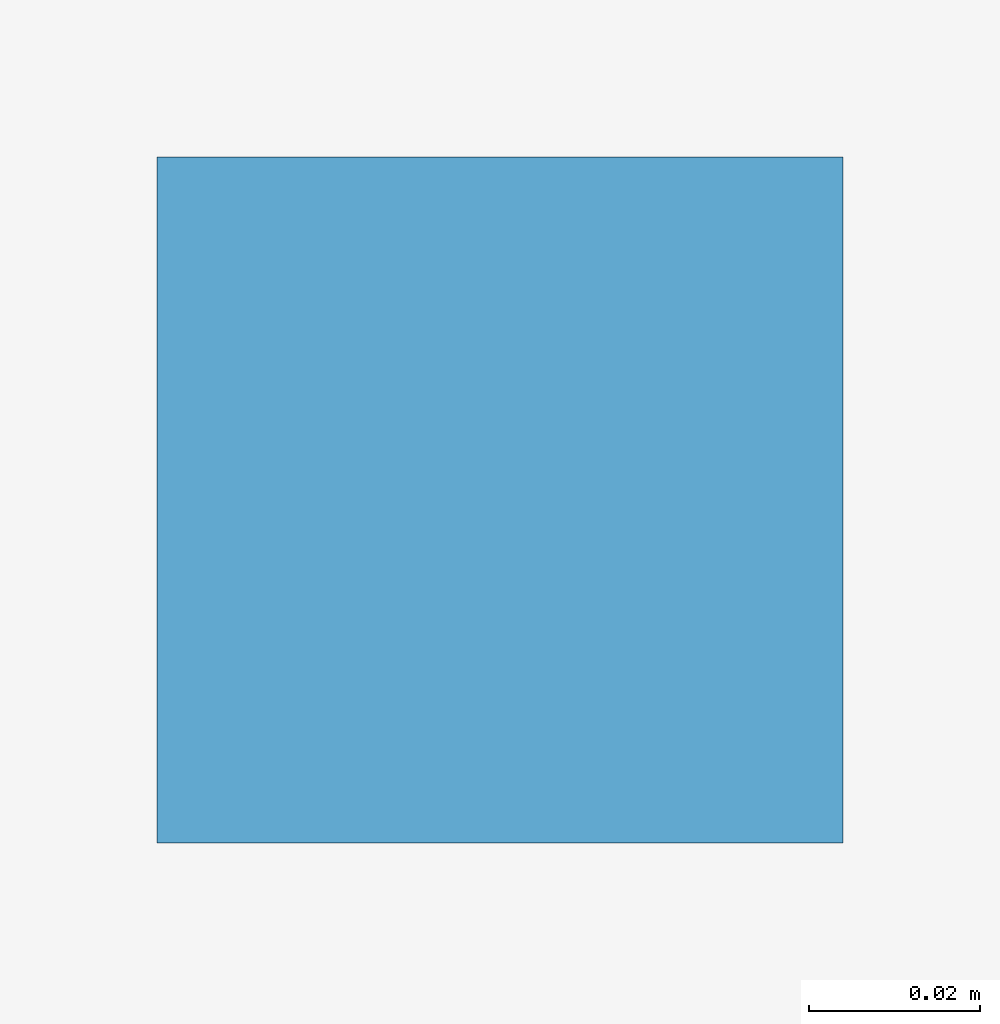
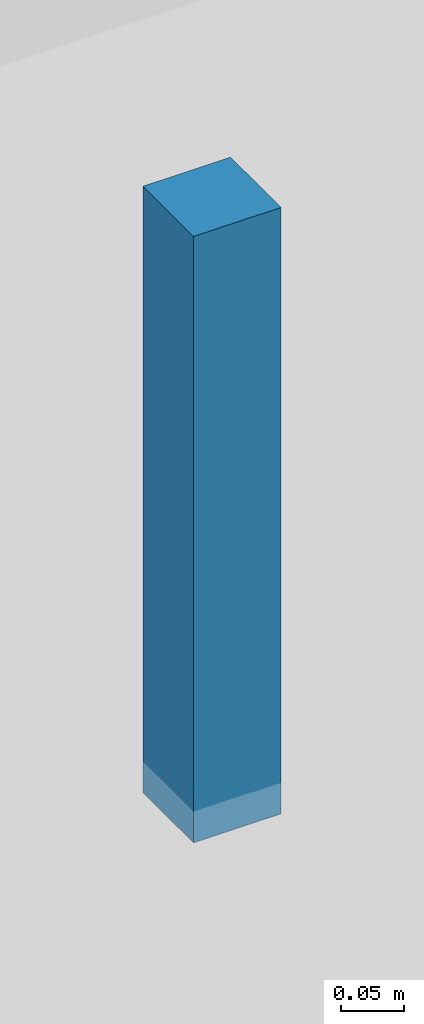
# One storey, part 12 of 17: 1 discrete accessory.
"""IFC4 building model written with IfcOpenShell, lengths in metres."""

import ifcopenshell
import ifcopenshell.guid

model = None  # the IFC model being written
_history = None  # IfcOwnerHistory: only IFC2X3 demands one
_inside = {}  # id of a spatial element -> (the spatial element, [elements in it])
_under = {}  # id of a project, library or spatial element -> (it, [spatial elements below it])
_declared = {}  # id of a project -> (the project, [libraries it declares])
_typed = {}  # id of a type object -> (the type object, [elements of that type])
_made_of = {}  # id of a material, layer set ... -> (it, [elements and type objects made of it])


def new_model(schema):
    """Start an empty IFC model of exactly this schema.

    Asked for "IFC4X3", IfcOpenShell would pick the latest addendum, in which some entities
    have other attributes; the version numbers below select the first issue.
    IFC2X3 requires an IfcOwnerHistory on every rooted entity: one is made here for all.
    """
    global model, _history
    if schema == "IFC4X3":
        model = ifcopenshell.file(schema_version=(4, 3, 0, 0))
    else:
        model = ifcopenshell.file(schema=schema)
    _inside.clear()
    _under.clear()
    _declared.clear()
    _typed.clear()
    _made_of.clear()
    _history = None
    if model.schema == "IFC2X3":
        org = make("IfcOrganization", Name="unknown")
        user = make(
            "IfcPersonAndOrganization",
            ThePerson=make("IfcPerson", FamilyName="unknown"),
            TheOrganization=org,
        )
        app = make(
            "IfcApplication",
            ApplicationDeveloper=org,
            Version="unknown",
            ApplicationFullName="unknown",
            ApplicationIdentifier="unknown",
        )
        _history = make(
            "IfcOwnerHistory",
            OwningUser=user,
            OwningApplication=app,
            ChangeAction="ADDED",
            CreationDate=0,
        )
    return model


def make(cls, **values):
    """One entity of the class cls with the attributes given. An attribute that is None is left unset."""
    return model.create_entity(
        cls, **{name: value for name, value in values.items() if value is not None}
    )


def rooted(cls, **values):
    """An entity with a GlobalId (a new one), such as an element, a storey or a relation."""
    return make(cls, GlobalId=ifcopenshell.guid.new(), OwnerHistory=_history, **values)


def si_unit(unit_type, name, prefix=None):
    """IfcSIUnit, for example si_unit("LENGTHUNIT", "METRE", prefix="MILLI")."""
    return make("IfcSIUnit", UnitType=unit_type, Prefix=prefix, Name=name)


def assignment(units):
    """IfcUnitAssignment: the units of a project."""
    return None if units is None else make("IfcUnitAssignment", Units=units)


def point(xyz):
    """IfcCartesianPoint."""
    return None if xyz is None else make("IfcCartesianPoint", Coordinates=xyz)


def direction(xyz):
    """IfcDirection."""
    return None if xyz is None else make("IfcDirection", DirectionRatios=xyz)


def frame(location, z_axis=None, x_axis=None):
    """IfcAxis2Placement3D, a coordinate frame: its origin and axes. An axis left out is left unset."""
    return make(
        "IfcAxis2Placement3D",
        Location=point(location),
        Axis=direction(z_axis),
        RefDirection=direction(x_axis),
    )


def frame_2d(location, x_axis=None):
    """IfcAxis2Placement2D, a coordinate frame in the plane: its origin and x axis."""
    return make(
        "IfcAxis2Placement2D", Location=point(location), RefDirection=direction(x_axis)
    )


def origin():
    """The frame at (0, 0, 0) with its axes left unset."""
    return frame((0.0, 0.0, 0.0))


def origin_2d():
    """The frame at (0, 0) in the plane with its x axis left unset."""
    return frame_2d((0.0, 0.0))


def place(relative_to, where):
    """IfcLocalPlacement: puts the frame where relative to a parent placement (None: the world)."""
    return make(
        "IfcLocalPlacement", PlacementRelTo=relative_to, RelativePlacement=where
    )


def context(
    kind, dimensions, precision=None, world=None, true_north=None, identifier=None
):
    """IfcGeometricRepresentationContext, for example the 3D "Model" context."""
    return make(
        "IfcGeometricRepresentationContext",
        ContextIdentifier=identifier,
        ContextType=kind,
        CoordinateSpaceDimension=dimensions,
        Precision=precision,
        WorldCoordinateSystem=world,
        TrueNorth=true_north,
    )


def subcontext(parent, identifier, kind, view, scale=None):
    """IfcGeometricRepresentationSubContext, for example "Body" below "Model"."""
    return make(
        "IfcGeometricRepresentationSubContext",
        ContextIdentifier=identifier,
        ContextType=kind,
        ParentContext=parent,
        TargetScale=scale,
        TargetView=view,
    )


def project(units=None, contexts=None):
    """IfcProject with its units and contexts."""
    return rooted(
        "IfcProject",
        Name="project",
        RepresentationContexts=contexts,
        UnitsInContext=assignment(units),
    )


def spatial(cls, under=None, at=None, **own):
    """A site, building, storey or space (cls), placed at a placement, below another one or the project."""
    s = rooted(cls, ObjectPlacement=at, **own)
    if under is not None:
        _under.setdefault(under.id(), (under, []))[1].append(s)
    return s


def profile(cls, at=None, kind="AREA", **sizes):
    """A parametric profile (cls). Its sizes go by their IFC names, for example OverallWidth=200.0."""
    return make(cls, ProfileType=kind, Position=at, **sizes)


def rectangle(**sizes):
    """IfcRectangleProfileDef."""
    return profile("IfcRectangleProfileDef", **sizes)


def extrude(swept, where, along, depth):
    """IfcExtrudedAreaSolid: the profile swept, set in the frame where, extruded along a direction by depth."""
    return make(
        "IfcExtrudedAreaSolid",
        SweptArea=swept,
        Position=where,
        ExtrudedDirection=direction(along),
        Depth=depth,
    )


def shape(context_of_items, identifier, shape_type, items):
    """IfcShapeRepresentation: the items that make up one representation, for example the "Body"."""
    return make(
        "IfcShapeRepresentation",
        ContextOfItems=context_of_items,
        RepresentationIdentifier=identifier,
        RepresentationType=shape_type,
        Items=items,
    )


def source(mapping_origin, context_of_items, identifier, shape_type, items):
    """IfcRepresentationMap: a shape defined once, which mapped items show again and again."""
    return make(
        "IfcRepresentationMap",
        MappingOrigin=mapping_origin,
        MappedRepresentation=shape(context_of_items, identifier, shape_type, items),
    )


def transform(
    local_origin,
    x_axis=None,
    y_axis=None,
    z_axis=None,
    scale=None,
    scale2=None,
    scale3=None,
    uniform=True,
):
    """IfcCartesianTransformationOperator3D, or its non-uniform kind. x_axis, y_axis, z_axis: its Axis1, 2, 3."""
    if uniform:
        return make(
            "IfcCartesianTransformationOperator3D",
            Axis1=direction(x_axis),
            Axis2=direction(y_axis),
            LocalOrigin=point(local_origin),
            Scale=scale,
            Axis3=direction(z_axis),
        )
    return make(
        "IfcCartesianTransformationOperator3DnonUniform",
        Axis1=direction(x_axis),
        Axis2=direction(y_axis),
        LocalOrigin=point(local_origin),
        Scale=scale,
        Axis3=direction(z_axis),
        Scale2=scale2,
        Scale3=scale3,
    )


def mapped(mapping_source, mapping_target):
    """IfcMappedItem: shows the shape of a source again, moved by a transform."""
    return make(
        "IfcMappedItem", MappingSource=mapping_source, MappingTarget=mapping_target
    )


def material(Name=None, Category=None):
    """IfcMaterial."""
    return make("IfcMaterial", Name=Name, Category=Category)


def made_of(thing, what):
    """Note that an element or type object is made of a material, layer set ...; save() writes the relation."""
    if what is not None:
        _made_of.setdefault(what.id(), (what, []))[1].append(thing)
    return thing


def type_object(cls, material=None, **own):
    """A type object (cls), such as IfcWallType, which elements share."""
    return made_of(rooted(cls, **own), material)


def element(
    cls,
    number,
    at=None,
    inside=None,
    cuts=None,
    type_object=None,
    material=None,
    context=None,
    identifier="Body",
    shape_type=None,
    held_by="IfcProductDefinitionShape",
    body=None,
    shapes=None,
    **own,
):
    """One element of the class cls, such as IfcWall. Its Tag is "e" and its number.

    at: its placement. inside: the storey or other place that contains it. cuts: it is an
    opening in that element (IfcRelVoidsElement). A single representation is given by context,
    identifier, shape_type and body (its items); several are given by shapes. held_by: the class
    of the entity that holds the representations. save() writes the other relations.
    """
    e = rooted(cls, Tag="e%d" % number, ObjectPlacement=at, **own)
    if body is not None:
        shapes = [shape(context, identifier, shape_type, body)]
    if shapes is not None:
        e.Representation = make(held_by, Representations=shapes)
    if inside is not None:
        _inside.setdefault(inside.id(), (inside, []))[1].append(e)
    if cuts is not None:
        rooted(
            "IfcRelVoidsElement", RelatingBuildingElement=cuts, RelatedOpeningElement=e
        )
    if type_object is not None:
        _typed.setdefault(type_object.id(), (type_object, []))[1].append(e)
    return made_of(e, material)


def aggregate(whole, parts):
    """IfcRelAggregates: a whole, such as a stair, and the parts it consists of."""
    return rooted("IfcRelAggregates", RelatingObject=whole, RelatedObjects=parts)


def save(model, path):
    """Write the relations noted so far, then the file.

    IfcRelAggregates (storeys below a building ...), IfcRelContainedInSpatialStructure (elements
    in a storey), IfcRelDefinesByType, IfcRelAssociatesMaterial and IfcRelDeclares: one each for
    every whole, place, type object, material and project.
    """
    for whole, parts in _under.values():
        aggregate(whole, parts)
    for where, things in _inside.values():
        rooted(
            "IfcRelContainedInSpatialStructure",
            RelatedElements=things,
            RelatingStructure=where,
        )
    for kind, things in _typed.values():
        rooted("IfcRelDefinesByType", RelatedObjects=things, RelatingType=kind)
    for what, things in _made_of.values():
        rooted("IfcRelAssociatesMaterial", RelatedObjects=things, RelatingMaterial=what)
    for by, libraries in _declared.values():
        rooted("IfcRelDeclares", RelatingContext=by, RelatedDefinitions=libraries)
    model.write(path)


model = new_model("IFC4")

# Units and contexts
model_context = context("Model", 3, precision=1e-05, world=origin(), true_north=direction((0.0, 1.0)))
body_context = subcontext(model_context, "Body", "Model", "MODEL_VIEW")
ifc_project = project(units=[si_unit("LENGTHUNIT", "METRE"), si_unit("AREAUNIT", "SQUARE_METRE"), si_unit("VOLUMEUNIT", "CUBIC_METRE"), si_unit("PLANEANGLEUNIT", "RADIAN"), si_unit("MASSUNIT", "GRAM", prefix="KILO")], contexts=[model_context])

# Site, building, storey
site_placement = place(None, origin())
site = spatial("IfcSite", under=ifc_project, at=site_placement, CompositionType="ELEMENT")
building_placement = place(site_placement, origin())
building = spatial("IfcBuilding", under=site, at=building_placement, Name="Giltprow Tower", CompositionType="ELEMENT")
storey_placement = place(building_placement, frame((0.0, 0.0, 251.89990234375)))
storey = spatial("IfcBuildingStorey", under=building, at=storey_placement, Name="L64", CompositionType="ELEMENT", Elevation=251.89990234375)

# Discrete accessory
ifc_material = material(Name="Structural steel Q355B", Category="steel")
discrete_accessory_type = type_object("IfcDiscreteAccessoryType", Name="ACC-CLG-HANGER", PredefinedType="BRACKET", material=ifc_material)
shared_shape = source(origin(), body_context, "Body", "SweptSolid", [
    extrude(rectangle(XDim=0.080078125, YDim=0.080078125, at=origin_2d()), origin(), (0.0, 0.0, 1.0), 0.5849609375),
])
discrete_accessory_placement = place(storey_placement, frame((35.0, 36.02490234375, 2.61962890625), z_axis=(0.0, 0.0, 1.0), x_axis=(1.0, 0.0, 0.0)))
element("IfcDiscreteAccessory", 1, at=discrete_accessory_placement, inside=storey, type_object=discrete_accessory_type, Name="L64 Residence Gallery Ceiling Suspension Hanger", PredefinedType="BRACKET", context=body_context, shape_type="MappedRepresentation", body=[
    mapped(shared_shape, transform((0.0, 0.0, 0.0), x_axis=(1.0, 0.0, 0.0), y_axis=(0.0, 1.0, 0.0), z_axis=(0.0, 0.0, 1.0), scale=1.0)),
])

save(model, "model.ifc")
